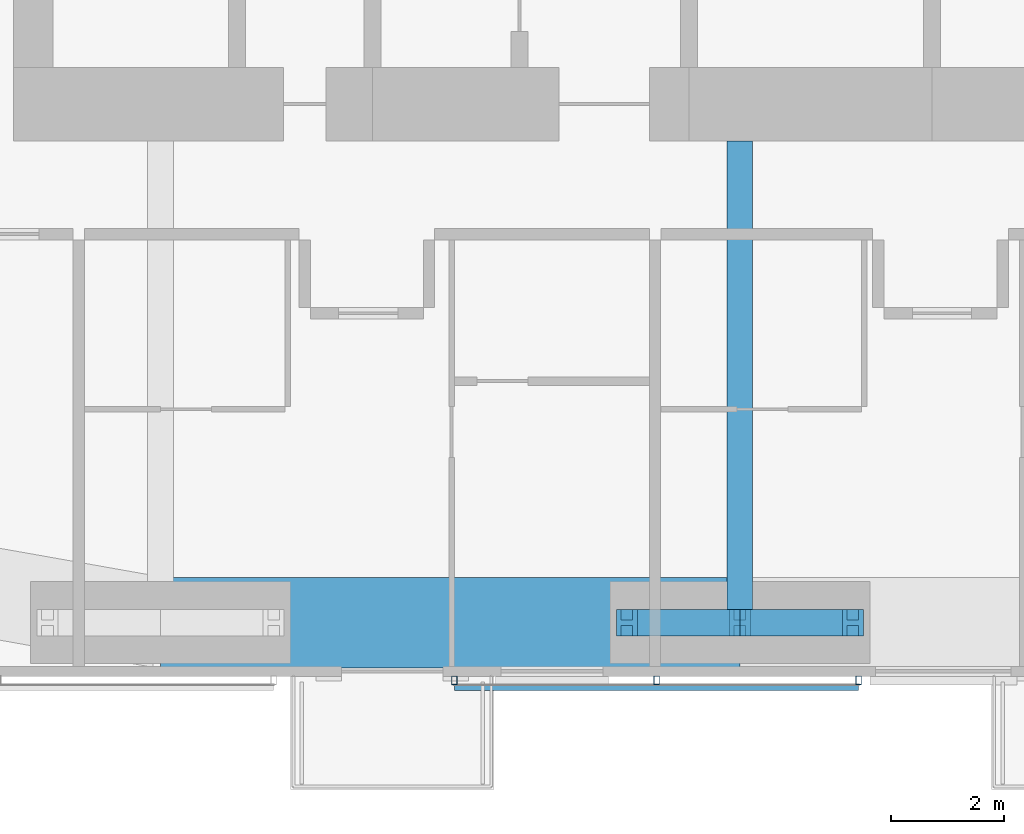
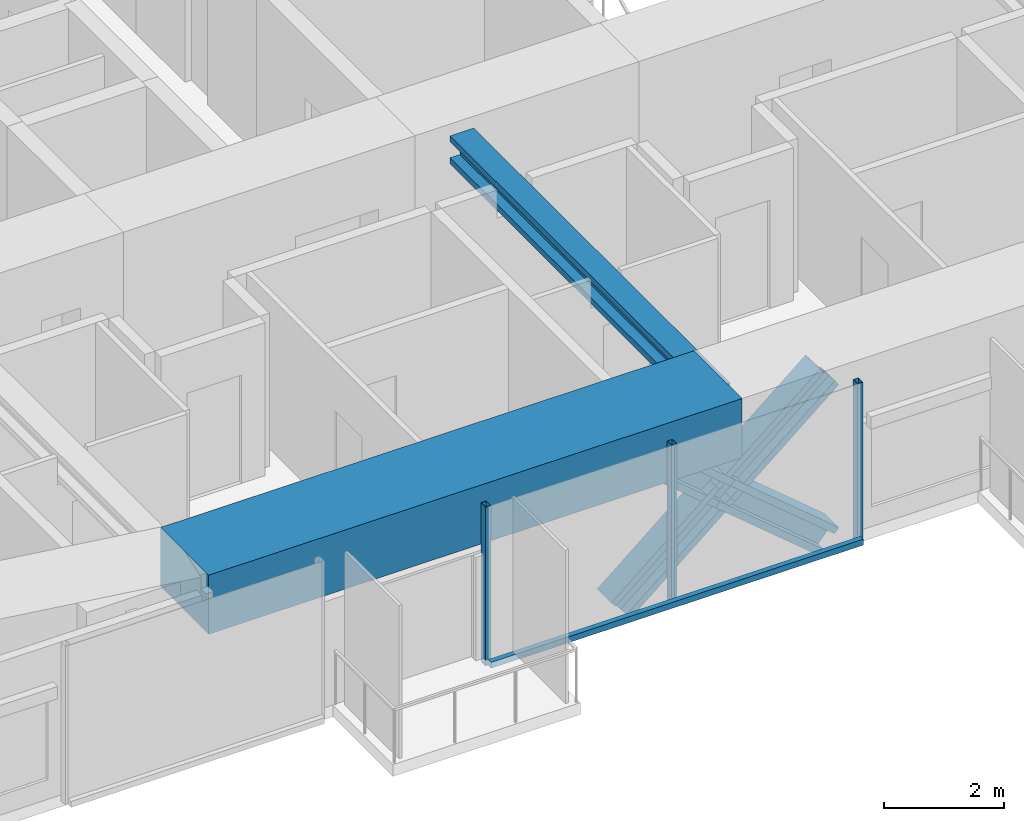
# One storey, part 3 of 22: 8 members, 2 beams, 1 element without a shape of its own.
"""IFC4 building model written with IfcOpenShell, lengths in metres."""

from ifc_helpers import new_model, si_unit, direction, frame, origin, origin_2d, place, context, subcontext, project, spatial, rectangle, hollow_rectangle, i_section, extrude, material, material_profile, profile_set, type_object, element, aggregate, save


model = new_model("IFC4")

# Units and contexts
model_context = context("Model", 3, precision=1e-05, world=origin(), true_north=direction((0.0, 1.0)))
body_context = subcontext(model_context, "Body", "Model", "MODEL_VIEW")
ifc_project = project(units=[si_unit("LENGTHUNIT", "METRE"), si_unit("AREAUNIT", "SQUARE_METRE"), si_unit("VOLUMEUNIT", "CUBIC_METRE"), si_unit("PLANEANGLEUNIT", "RADIAN"), si_unit("MASSUNIT", "GRAM", prefix="KILO")], contexts=[model_context])

# Site, building, storey
site_placement = place(None, origin())
site = spatial("IfcSite", under=ifc_project, at=site_placement, CompositionType="ELEMENT")
building_placement = place(site_placement, origin())
building = spatial("IfcBuilding", under=site, at=building_placement, Name="Jalousie Tower", CompositionType="ELEMENT")
storey_placement = place(building_placement, frame((0.0, 0.0, 161.050048828125)))
storey = spatial("IfcBuildingStorey", under=building, at=storey_placement, Name="L43", CompositionType="ELEMENT", Elevation=161.050048828125)

# Beam
ifc_material_1 = material(Name="Steel ASTM A992 Grade 50", Category="steel")
ifc_material_profile_1 = material_profile(ifc_material_1, i_section(OverallWidth=0.45458984375, OverallDepth=0.569091796875, WebThickness=0.077880859375, FlangeThickness=0.124755859375, at=origin_2d()), Name="W14X730")
ifc_profile_set_1 = profile_set([ifc_material_profile_1], Name="Steel ASTM A992 Grade 50")
beam_type_1 = type_object("IfcBeamType", Name="LEAN COLLECTOR W14X730", PredefinedType="BEAM", material=ifc_profile_set_1)
beam_1_placement = place(storey_placement, frame((32.5, 0.949951171875, 2.825439453125), z_axis=(0.0, 1.0, 0.0), x_axis=(-1.0, 0.0, 0.0)))
element("IfcBeam", 1, at=beam_1_placement, inside=storey, type_object=beam_type_1, Name="Lean collector under L44", PredefinedType="BEAM", context=body_context, shape_type="SweptSolid", body=[
    extrude(i_section(OverallWidth=0.45458984375, OverallDepth=0.569091796875, WebThickness=0.077880859375, FlangeThickness=0.124755859375, at=origin_2d()), origin(), (0.0, 0.0, 1.0), 8.525146484375),
])

# Members
ifc_material_2 = material(Name="Steel ASTM A992 Grade 50", Category="steel")
ifc_material_profile_2 = material_profile(ifc_material_2, i_section(OverallWidth=0.472412109375, OverallDepth=0.5791015625, WebThickness=0.094970703125, FlangeThickness=0.1298828125, at=origin_2d()), Name="W14X808")
ifc_profile_set_2 = profile_set([ifc_material_profile_2], Name="Steel ASTM A992 Grade 50")
member_type_1 = type_object("IfcMemberType", Name="PERIMETER BRACE W14X808", PredefinedType="BRACE", material=ifc_profile_set_2)
for number, where, z_axis, x_axis, name in (
    (2, (30.5, 0.949951171875, -0.60009765625), (0.766638753323, 0.0, 0.642078672674), (0.0, 1.0, 0.0), "Perimeter brace 03 L43 part 1"),
    (3, (32.5, 0.949951171875, 1.074951171875), (0.766638753323, 0.0, 0.642078672674), (0.0, 1.0, 0.0), "Perimeter brace 03 L43 part 2"),
    (4, (34.5, 0.949951171875, -0.60009765625), (-0.766638753323, 0.0, 0.642078672674), (0.0, -1.0, 0.0), "Perimeter brace 03 L43 part 3"),
    (5, (32.5, 0.949951171875, 1.074951171875), (-0.766638753323, 0.0, 0.642078672674), (0.0, -1.0, 0.0), "Perimeter brace 03 L43 part 4"),
):
    element("IfcMember", number, at=place(storey_placement, frame(where, z_axis=z_axis, x_axis=x_axis)), inside=storey, type_object=member_type_1, Name=name, PredefinedType="BRACE", context=body_context, shape_type="SweptSolid", body=[
        extrude(i_section(OverallWidth=0.472412109375, OverallDepth=0.5791015625, WebThickness=0.094970703125, FlangeThickness=0.1298828125, at=origin_2d()), origin(), (0.0, 0.0, 1.0), 2.60888671875),
    ])

# Beam
ifc_material_3 = material(Name="Concrete f'c 40 MPa", Category="concrete")
ifc_material_profile_3 = material_profile(ifc_material_3, rectangle(XDim=1.60009765625, YDim=1.199951171875, at=origin_2d()), Name="RC 1600x1200")
ifc_profile_set_3 = profile_set([ifc_material_profile_3], Name="Concrete f'c 40 MPa")
beam_type_2 = type_object("IfcBeamType", Name="RC BEAM 1600x1200", PredefinedType="BEAM", material=ifc_profile_set_3)
beam_2_placement = place(storey_placement, frame((22.25, 0.949951171875, 2.75), z_axis=(1.0, 0.0, 0.0), x_axis=(0.0, 1.0, 0.0)))
element("IfcBeam", 6, at=beam_2_placement, inside=storey, type_object=beam_type_2, Name="Edge band beam 02-03 under L44", PredefinedType="BEAM", context=body_context, shape_type="SweptSolid", body=[
    extrude(rectangle(XDim=1.60009765625, YDim=1.199951171875, at=origin_2d()), origin(), (0.0, 0.0, 1.0), 10.25),
])

# Curtain wall, members
ifc_material_4 = material(Name="Perforated aluminium sheet", Category="aluminium")
curtain_wall_type = type_object("IfcCurtainWallType", Name="SOLAR SCREEN SS-1", PredefinedType="USERDEFINED", material=ifc_material_4)
curtain_wall_placement = place(storey_placement, origin())
curtain_wall = element("IfcCurtainWall", 7, at=curtain_wall_placement, inside=storey, type_object=curtain_wall_type, Name="Solar screen L43", ObjectType="SOLAR SCREEN SS-1", PredefinedType="USERDEFINED")
ifc_material_5 = material(Name="Steel ASTM A500 Grade C", Category="steel")
ifc_material_profile_4 = material_profile(ifc_material_5, hollow_rectangle(XDim=0.1015625, YDim=0.15234375, WallThickness=0.00634765625, at=origin_2d()), Name="HSS6X4X1/4")
ifc_profile_set_4 = profile_set([ifc_material_profile_4], Name="Steel ASTM A500 Grade C")
member_type_2 = type_object("IfcMemberType", Name="SOLAR SCREEN SS-1 MULLION", PredefinedType="MULLION", material=ifc_profile_set_4)
member_1_placement = place(storey_placement, frame((27.449951171875, -0.0712890625, -0.1201171875), z_axis=(0.0, 0.0, 1.0), x_axis=(1.0, 0.0, 0.0)))
member_1 = element("IfcMember", 8, at=member_1_placement, type_object=member_type_2, Name="SS1 post 1", PredefinedType="MULLION", context=body_context, shape_type="SweptSolid", body=[
    extrude(hollow_rectangle(XDim=0.1015625, YDim=0.15234375, WallThickness=0.00634765625, at=origin_2d()), origin(), (0.0, 0.0, 1.0), 3.22998046875),
])
member_2_placement = place(storey_placement, frame((31.02490234375, -0.0712890625, -0.1201171875), z_axis=(0.0, 0.0, 1.0), x_axis=(1.0, 0.0, 0.0)))
member_2 = element("IfcMember", 9, at=member_2_placement, type_object=member_type_2, Name="SS1 post 2", PredefinedType="MULLION", context=body_context, shape_type="SweptSolid", body=[
    extrude(hollow_rectangle(XDim=0.1015625, YDim=0.15234375, WallThickness=0.00634765625, at=origin_2d()), origin(), (0.0, 0.0, 1.0), 3.22998046875),
])
member_3_placement = place(storey_placement, frame((34.60009765625, -0.0712890625, -0.1201171875), z_axis=(0.0, 0.0, 1.0), x_axis=(1.0, 0.0, 0.0)))
member_3 = element("IfcMember", 10, at=member_3_placement, type_object=member_type_2, Name="SS1 post 3", PredefinedType="MULLION", context=body_context, shape_type="SweptSolid", body=[
    extrude(hollow_rectangle(XDim=0.1015625, YDim=0.15234375, WallThickness=0.00634765625, at=origin_2d()), origin(), (0.0, 0.0, 1.0), 3.22998046875),
])
ifc_material_6 = material(Name="Extruded aluminium screen rail", Category="aluminium")
ifc_material_profile_5 = material_profile(ifc_material_6, rectangle(XDim=0.1015625, YDim=0.1201171875, at=origin_2d()), Name="RAIL 102x120")
ifc_profile_set_5 = profile_set([ifc_material_profile_5], Name="Extruded aluminium screen rail")
member_type_3 = type_object("IfcMemberType", Name="SOLAR SCREEN SS-1 TRANSOM", PredefinedType="USERDEFINED", material=ifc_profile_set_5)
member_4_placement = place(storey_placement, frame((27.449951171875, -0.1982421875, -0.06005859375), z_axis=(1.0, 0.0, 0.0), x_axis=(0.0, 1.0, 0.0)))
member_4 = element("IfcMember", 11, at=member_4_placement, type_object=member_type_3, Name="SS1 rail", ObjectType="TRANSOM", PredefinedType="USERDEFINED", context=body_context, shape_type="SweptSolid", body=[
    extrude(rectangle(XDim=0.1015625, YDim=0.1201171875, at=origin_2d()), origin(), (0.0, 0.0, 1.0), 7.150146484375),
])
aggregate(curtain_wall, [member_1, member_2, member_3, member_4])

save(model, "model.ifc")
